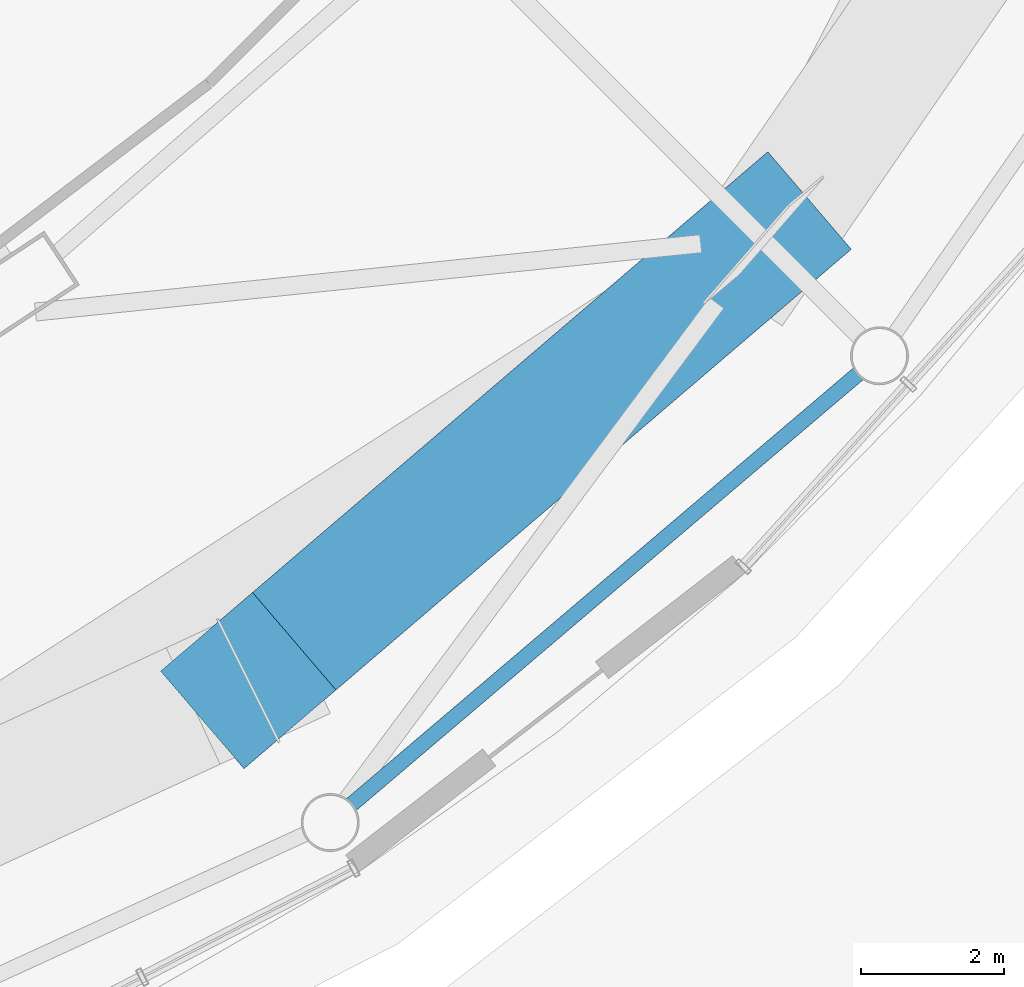
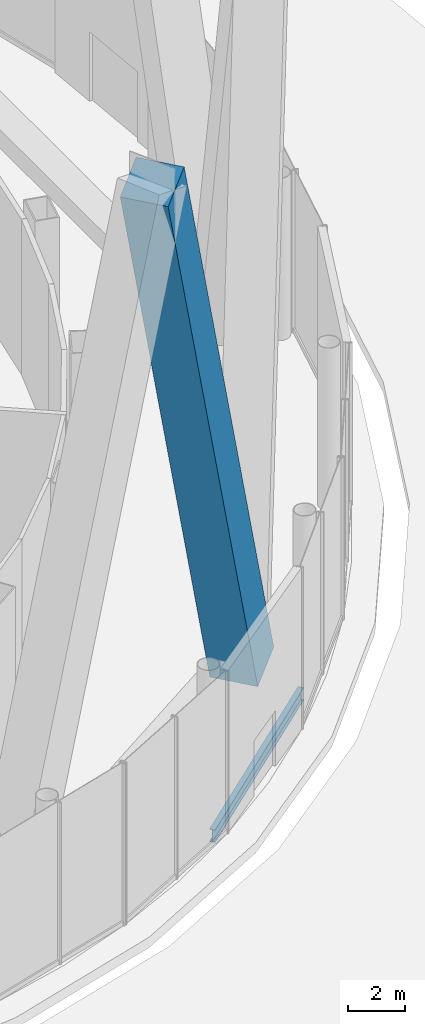
# One storey, part 19 of 67: 1 beam, 1 member.
"""IFC4 building model written with IfcOpenShell, lengths in metres."""

import ifcopenshell
import ifcopenshell.guid

model = None  # the IFC model being written
_history = None  # IfcOwnerHistory: only IFC2X3 demands one
_inside = {}  # id of a spatial element -> (the spatial element, [elements in it])
_under = {}  # id of a project, library or spatial element -> (it, [spatial elements below it])
_declared = {}  # id of a project -> (the project, [libraries it declares])
_typed = {}  # id of a type object -> (the type object, [elements of that type])
_made_of = {}  # id of a material, layer set ... -> (it, [elements and type objects made of it])


def new_model(schema):
    """Start an empty IFC model of exactly this schema.

    Asked for "IFC4X3", IfcOpenShell would pick the latest addendum, in which some entities
    have other attributes; the version numbers below select the first issue.
    IFC2X3 requires an IfcOwnerHistory on every rooted entity: one is made here for all.
    """
    global model, _history
    if schema == "IFC4X3":
        model = ifcopenshell.file(schema_version=(4, 3, 0, 0))
    else:
        model = ifcopenshell.file(schema=schema)
    _inside.clear()
    _under.clear()
    _declared.clear()
    _typed.clear()
    _made_of.clear()
    _history = None
    if model.schema == "IFC2X3":
        org = make("IfcOrganization", Name="unknown")
        user = make(
            "IfcPersonAndOrganization",
            ThePerson=make("IfcPerson", FamilyName="unknown"),
            TheOrganization=org,
        )
        app = make(
            "IfcApplication",
            ApplicationDeveloper=org,
            Version="unknown",
            ApplicationFullName="unknown",
            ApplicationIdentifier="unknown",
        )
        _history = make(
            "IfcOwnerHistory",
            OwningUser=user,
            OwningApplication=app,
            ChangeAction="ADDED",
            CreationDate=0,
        )
    return model


def make(cls, **values):
    """One entity of the class cls with the attributes given. An attribute that is None is left unset."""
    return model.create_entity(
        cls, **{name: value for name, value in values.items() if value is not None}
    )


def rooted(cls, **values):
    """An entity with a GlobalId (a new one), such as an element, a storey or a relation."""
    return make(cls, GlobalId=ifcopenshell.guid.new(), OwnerHistory=_history, **values)


def si_unit(unit_type, name, prefix=None):
    """IfcSIUnit, for example si_unit("LENGTHUNIT", "METRE", prefix="MILLI")."""
    return make("IfcSIUnit", UnitType=unit_type, Prefix=prefix, Name=name)


def assignment(units):
    """IfcUnitAssignment: the units of a project."""
    return None if units is None else make("IfcUnitAssignment", Units=units)


def point(xyz):
    """IfcCartesianPoint."""
    return None if xyz is None else make("IfcCartesianPoint", Coordinates=xyz)


def direction(xyz):
    """IfcDirection."""
    return None if xyz is None else make("IfcDirection", DirectionRatios=xyz)


def frame(location, z_axis=None, x_axis=None):
    """IfcAxis2Placement3D, a coordinate frame: its origin and axes. An axis left out is left unset."""
    return make(
        "IfcAxis2Placement3D",
        Location=point(location),
        Axis=direction(z_axis),
        RefDirection=direction(x_axis),
    )


def frame_2d(location, x_axis=None):
    """IfcAxis2Placement2D, a coordinate frame in the plane: its origin and x axis."""
    return make(
        "IfcAxis2Placement2D", Location=point(location), RefDirection=direction(x_axis)
    )


def origin():
    """The frame at (0, 0, 0) with its axes left unset."""
    return frame((0.0, 0.0, 0.0))


def origin_2d():
    """The frame at (0, 0) in the plane with its x axis left unset."""
    return frame_2d((0.0, 0.0))


def place(relative_to, where):
    """IfcLocalPlacement: puts the frame where relative to a parent placement (None: the world)."""
    return make(
        "IfcLocalPlacement", PlacementRelTo=relative_to, RelativePlacement=where
    )


def context(
    kind, dimensions, precision=None, world=None, true_north=None, identifier=None
):
    """IfcGeometricRepresentationContext, for example the 3D "Model" context."""
    return make(
        "IfcGeometricRepresentationContext",
        ContextIdentifier=identifier,
        ContextType=kind,
        CoordinateSpaceDimension=dimensions,
        Precision=precision,
        WorldCoordinateSystem=world,
        TrueNorth=true_north,
    )


def subcontext(parent, identifier, kind, view, scale=None):
    """IfcGeometricRepresentationSubContext, for example "Body" below "Model"."""
    return make(
        "IfcGeometricRepresentationSubContext",
        ContextIdentifier=identifier,
        ContextType=kind,
        ParentContext=parent,
        TargetScale=scale,
        TargetView=view,
    )


def project(units=None, contexts=None):
    """IfcProject with its units and contexts."""
    return rooted(
        "IfcProject",
        Name="project",
        RepresentationContexts=contexts,
        UnitsInContext=assignment(units),
    )


def spatial(cls, under=None, at=None, **own):
    """A site, building, storey or space (cls), placed at a placement, below another one or the project."""
    s = rooted(cls, ObjectPlacement=at, **own)
    if under is not None:
        _under.setdefault(under.id(), (under, []))[1].append(s)
    return s


def profile(cls, at=None, kind="AREA", **sizes):
    """A parametric profile (cls). Its sizes go by their IFC names, for example OverallWidth=200.0."""
    return make(cls, ProfileType=kind, Position=at, **sizes)


def rectangle(**sizes):
    """IfcRectangleProfileDef."""
    return profile("IfcRectangleProfileDef", **sizes)


def i_section(**sizes):
    """IfcIShapeProfileDef."""
    return profile("IfcIShapeProfileDef", **sizes)


def extrude(swept, where, along, depth):
    """IfcExtrudedAreaSolid: the profile swept, set in the frame where, extruded along a direction by depth."""
    return make(
        "IfcExtrudedAreaSolid",
        SweptArea=swept,
        Position=where,
        ExtrudedDirection=direction(along),
        Depth=depth,
    )


def shape(context_of_items, identifier, shape_type, items):
    """IfcShapeRepresentation: the items that make up one representation, for example the "Body"."""
    return make(
        "IfcShapeRepresentation",
        ContextOfItems=context_of_items,
        RepresentationIdentifier=identifier,
        RepresentationType=shape_type,
        Items=items,
    )


def material(Name=None, Category=None):
    """IfcMaterial."""
    return make("IfcMaterial", Name=Name, Category=Category)


def material_profile(
    of_material, cross_section, Name=None, Category=None, Priority=None
):
    """IfcMaterialProfile: a cross section and its material."""
    return make(
        "IfcMaterialProfile",
        Name=Name,
        Material=of_material,
        Profile=cross_section,
        Priority=Priority,
        Category=Category,
    )


def profile_set(profiles, Name=None, composite=None):
    """IfcMaterialProfileSet."""
    return make(
        "IfcMaterialProfileSet",
        Name=Name,
        MaterialProfiles=profiles,
        CompositeProfile=composite,
    )


def made_of(thing, what):
    """Note that an element or type object is made of a material, layer set ...; save() writes the relation."""
    if what is not None:
        _made_of.setdefault(what.id(), (what, []))[1].append(thing)
    return thing


def type_object(cls, material=None, **own):
    """A type object (cls), such as IfcWallType, which elements share."""
    return made_of(rooted(cls, **own), material)


def element(
    cls,
    number,
    at=None,
    inside=None,
    cuts=None,
    type_object=None,
    material=None,
    context=None,
    identifier="Body",
    shape_type=None,
    held_by="IfcProductDefinitionShape",
    body=None,
    shapes=None,
    **own,
):
    """One element of the class cls, such as IfcWall. Its Tag is "e" and its number.

    at: its placement. inside: the storey or other place that contains it. cuts: it is an
    opening in that element (IfcRelVoidsElement). A single representation is given by context,
    identifier, shape_type and body (its items); several are given by shapes. held_by: the class
    of the entity that holds the representations. save() writes the other relations.
    """
    e = rooted(cls, Tag="e%d" % number, ObjectPlacement=at, **own)
    if body is not None:
        shapes = [shape(context, identifier, shape_type, body)]
    if shapes is not None:
        e.Representation = make(held_by, Representations=shapes)
    if inside is not None:
        _inside.setdefault(inside.id(), (inside, []))[1].append(e)
    if cuts is not None:
        rooted(
            "IfcRelVoidsElement", RelatingBuildingElement=cuts, RelatedOpeningElement=e
        )
    if type_object is not None:
        _typed.setdefault(type_object.id(), (type_object, []))[1].append(e)
    return made_of(e, material)


def aggregate(whole, parts):
    """IfcRelAggregates: a whole, such as a stair, and the parts it consists of."""
    return rooted("IfcRelAggregates", RelatingObject=whole, RelatedObjects=parts)


def save(model, path):
    """Write the relations noted so far, then the file.

    IfcRelAggregates (storeys below a building ...), IfcRelContainedInSpatialStructure (elements
    in a storey), IfcRelDefinesByType, IfcRelAssociatesMaterial and IfcRelDeclares: one each for
    every whole, place, type object, material and project.
    """
    for whole, parts in _under.values():
        aggregate(whole, parts)
    for where, things in _inside.values():
        rooted(
            "IfcRelContainedInSpatialStructure",
            RelatedElements=things,
            RelatingStructure=where,
        )
    for kind, things in _typed.values():
        rooted("IfcRelDefinesByType", RelatedObjects=things, RelatingType=kind)
    for what, things in _made_of.values():
        rooted("IfcRelAssociatesMaterial", RelatedObjects=things, RelatingMaterial=what)
    for by, libraries in _declared.values():
        rooted("IfcRelDeclares", RelatingContext=by, RelatedDefinitions=libraries)
    model.write(path)


model = new_model("IFC4")

# Units and contexts
model_context = context("Model", 3, precision=1e-05, world=origin(), true_north=direction((0.0, 1.0)))
body_context = subcontext(model_context, "Body", "Model", "MODEL_VIEW")
ifc_project = project(units=[si_unit("LENGTHUNIT", "METRE"), si_unit("AREAUNIT", "SQUARE_METRE"), si_unit("VOLUMEUNIT", "CUBIC_METRE"), si_unit("PLANEANGLEUNIT", "RADIAN"), si_unit("MASSUNIT", "GRAM", prefix="KILO")], contexts=[model_context])

# Site, building, storey
site_placement = place(None, origin())
site = spatial("IfcSite", under=ifc_project, at=site_placement, CompositionType="ELEMENT")
building_placement = place(site_placement, origin())
building = spatial("IfcBuilding", under=site, at=building_placement, Name="Nagisa Residences", CompositionType="ELEMENT")
storey_placement = place(building_placement, origin())
storey = spatial("IfcBuildingStorey", under=building, at=storey_placement, Name="L00", CompositionType="ELEMENT", Elevation=0.0)

# Beam
ifc_material_1 = material(Name="Steel ASTM A572 Gr 50", Category="steel")
ifc_material_profile_1 = material_profile(ifc_material_1, i_section(OverallWidth=0.214111328125, OverallDepth=0.549072265625, WebThickness=0.0146484375, FlangeThickness=0.023681640625, at=origin_2d()), Name="W530x138")
ifc_profile_set_1 = profile_set([ifc_material_profile_1], Name="Steel ASTM A572 Gr 50")
beam_type = type_object("IfcBeamType", Name="Atrium ring beam W530x138", PredefinedType="BEAM", material=ifc_profile_set_1)
beam_placement = place(storey_placement, frame((22.49462890625, -35.429931640625, -0.674560546875), z_axis=(0.761996084448, 0.647581629824, 0.0), x_axis=(-0.647581629824, 0.761996084448, 0.0)))
element("IfcBeam", 1, at=beam_placement, inside=storey, type_object=beam_type, Name="beam:L00:ab21", PredefinedType="BEAM", context=body_context, shape_type="SweptSolid", body=[
    extrude(i_section(OverallWidth=0.214111328125, OverallDepth=0.549072265625, WebThickness=0.0146484375, FlangeThickness=0.023681640625, at=origin_2d()), origin(), (0.0, 0.0, 1.0), 9.337646484375),
])

# Member
ifc_material_2 = material(Name="Concrete C80", Category="concrete")
ifc_material_profile_2 = material_profile(ifc_material_2, rectangle(XDim=1.800048828125, YDim=1.800048828125, at=origin_2d()), Name="C80 1800x1800")
ifc_profile_set_2 = profile_set([ifc_material_profile_2], Name="Concrete C80")
member_type = type_object("IfcMemberType", Name="Cage diagonal 1 C80 1800x1800", PredefinedType="BRACE", material=ifc_profile_set_2)
member_placement = place(storey_placement, frame((28.278076171875, -27.50634765625, 0.0), z_axis=(-0.252496339518, -0.215960018553, 0.943189731134), x_axis=(0.649983497444, -0.759948322618, 0.0)))
element("IfcMember", 2, at=member_placement, inside=storey, type_object=member_type, Name="mem:L00:cg1d021", PredefinedType="BRACE", context=body_context, shape_type="SweptSolid", body=[
    extrude(rectangle(XDim=1.800048828125, YDim=1.800048828125, at=origin_2d()), origin(), (0.0, 0.0, 1.0), 28.626220703125),
])

save(model, "model.ifc")
